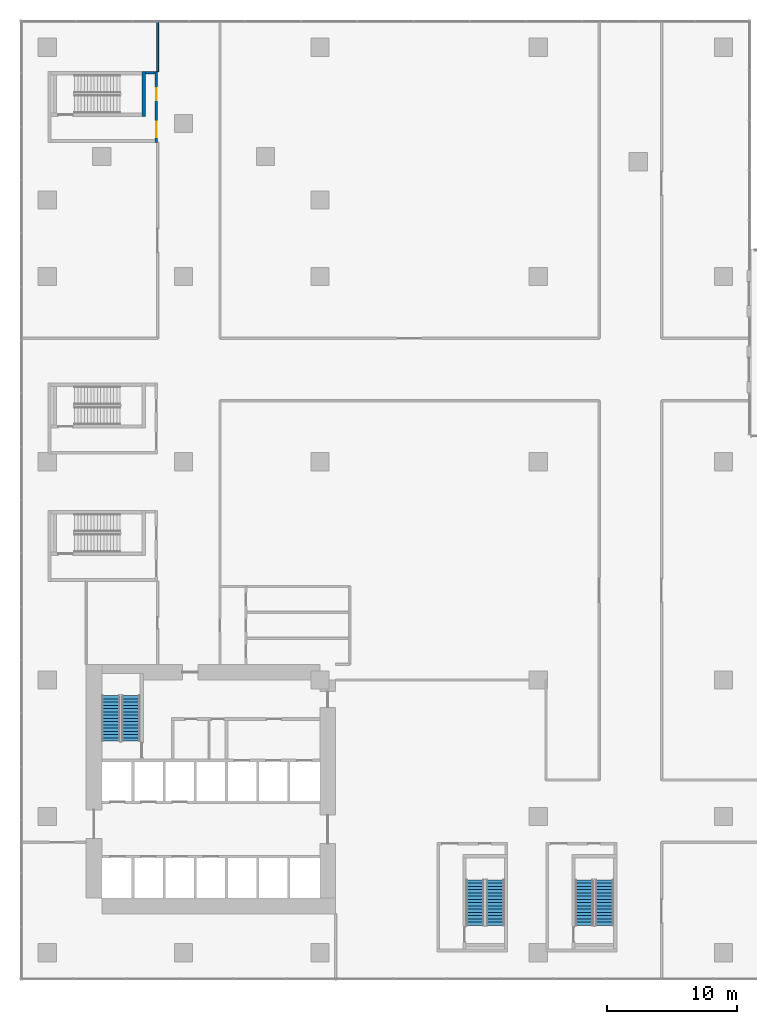
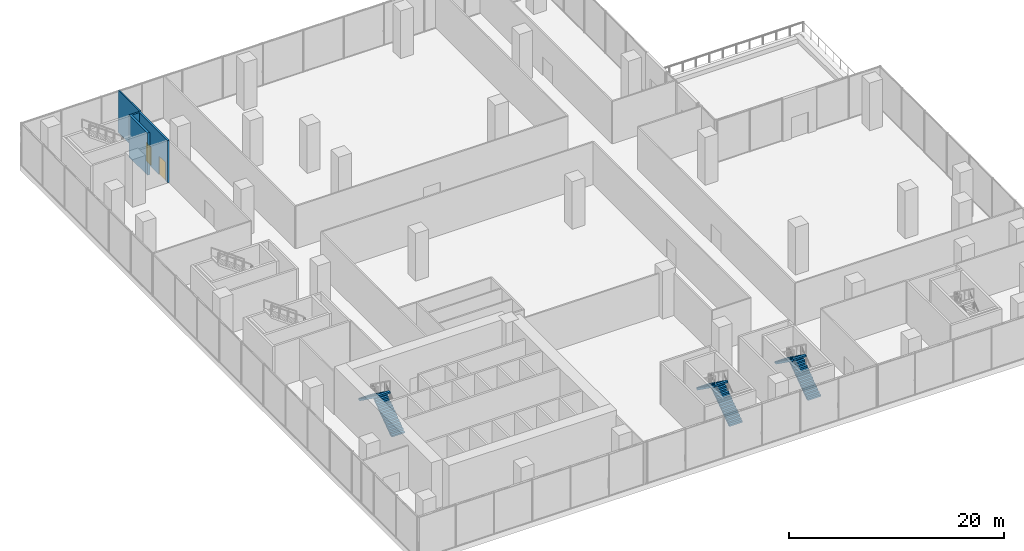
# One storey, part 17 of 23: 6 stair flights, 4 walls, 2 doors, 2 openings, 3 elements without a shape of their own.
"""IFC4 building model written with IfcOpenShell, lengths in metres."""

from ifc_helpers import new_model, si_unit, direction, frame, frame_2d, origin, place, context, subcontext, project, spatial, polyline, rectangle, outline, extrude, source, transform, mapped, material, layer, layer_set, type_object, element, fill, aggregate, save


model = new_model("IFC4")

# Units and contexts
model_context = context("Model", 3, precision=1e-05, world=origin(), true_north=direction((0.0, 1.0)))
body_context = subcontext(model_context, "Body", "Model", "MODEL_VIEW")
ifc_project = project(units=[si_unit("LENGTHUNIT", "METRE"), si_unit("AREAUNIT", "SQUARE_METRE"), si_unit("VOLUMEUNIT", "CUBIC_METRE"), si_unit("PLANEANGLEUNIT", "RADIAN"), si_unit("MASSUNIT", "GRAM", prefix="KILO")], contexts=[model_context])

# Site, building, storey
site_placement = place(None, origin())
site = spatial("IfcSite", under=ifc_project, at=site_placement, CompositionType="ELEMENT")
building_placement = place(site_placement, origin())
building = spatial("IfcBuilding", under=site, at=building_placement, Name="Aurelian Terraces", CompositionType="ELEMENT")
storey_placement = place(building_placement, frame((0.0, 0.0, 23.7)))
storey = spatial("IfcBuildingStorey", under=building, at=storey_placement, Name="L04", CompositionType="ELEMENT", Elevation=23.7)

# Wall
ifc_material_1 = material(Name="Concrete fc' 40 MPa", Category="concrete")
ifc_layer_1 = layer(ifc_material_1, 0.25)
ifc_layer_set_1 = layer_set([ifc_layer_1], Name="Stair enclosure wall 250")
wall_type_1 = type_object("IfcWallType", Name="Stair enclosure wall 250", PredefinedType="SOLIDWALL", material=ifc_layer_set_1)
shared_shape_1 = source(origin(), body_context, "Body", "SweptSolid", [
    extrude(rectangle(XDim=3.45, YDim=0.25, at=frame_2d((1.725, 0.0))), origin(), (0.0, 0.0, 1.0), 4.8),
])
wall_1_placement = place(storey_placement, frame((7.425, 64.4, 0.0), z_axis=(0.0, 0.0, 1.0), x_axis=(0.0, 1.0, 0.0)))
element("IfcWall", 1, at=wall_1_placement, inside=storey, type_object=wall_type_1, Name="L04 core wall ST-S5-N", PredefinedType="SOLIDWALL", context=body_context, shape_type="MappedRepresentation", body=[
    mapped(shared_shape_1, transform((0.0, 0.0, 0.0), scale=1.0)),
])

# Wall, openings, doors
ifc_material_2 = material(Name="Gypsum board on steel studs", Category="steel")
ifc_layer_2 = layer(ifc_material_2, 0.2)
ifc_layer_set_2 = layer_set([ifc_layer_2], Name="Core partition 200")
wall_type_2 = type_object("IfcWallType", Name="Core partition 200", PredefinedType="PARTITIONING", material=ifc_layer_set_2)
shared_shape_2 = source(origin(), body_context, "Body", "SweptSolid", [
    extrude(rectangle(XDim=5.45, YDim=0.2, at=frame_2d((2.725, 0.0))), origin(), (0.0, 0.0, 1.0), 4.8),
])
wall_2_placement = place(storey_placement, frame((8.4, 62.4, 0.0), z_axis=(0.0, 0.0, 1.0), x_axis=(0.0, 1.0, 0.0)))
wall_2 = element("IfcWall", 2, at=wall_2_placement, inside=storey, type_object=wall_type_2, Name="L04 core wall ST-S5-BN", PredefinedType="PARTITIONING", context=body_context, shape_type="MappedRepresentation", body=[
    mapped(shared_shape_2, transform((0.0, 0.0, 0.0), scale=1.0)),
])
shared_shape_3 = source(origin(), body_context, "Body", "SweptSolid", [
    extrude(rectangle(XDim=1.2, YDim=2.1, at=frame_2d((0.6, 1.05))), frame((0.0, 0.11, 0.0), z_axis=(0.0, -1.0, 0.0), x_axis=(1.0, 0.0, 0.0)), (0.0, 0.0, 1.0), 0.22),
])
opening_1_placement = place(wall_2_placement, frame((0.4, 0.0, 0.0)))
opening_1 = element("IfcOpeningElement", 3, at=opening_1_placement, cuts=wall_2, Name="Opening 60724", PredefinedType="OPENING", context=body_context, shape_type="MappedRepresentation", body=[
    mapped(shared_shape_3, transform((0.0, 0.0, 0.0), scale=1.0)),
])
shared_shape_4 = source(origin(), body_context, "Body", "SweptSolid", [
    extrude(rectangle(XDim=0.9, YDim=2.1, at=frame_2d((0.45, 1.05))), frame((0.0, 0.11, 0.0), z_axis=(0.0, -1.0, 0.0), x_axis=(1.0, 0.0, 0.0)), (0.0, 0.0, 1.0), 0.22),
])
opening_2_placement = place(wall_2_placement, frame((3.25, 0.0, 0.0)))
opening_2 = element("IfcOpeningElement", 4, at=opening_2_placement, cuts=wall_2, Name="Opening 60725", PredefinedType="OPENING", context=body_context, shape_type="MappedRepresentation", body=[
    mapped(shared_shape_4, transform((0.0, 0.0, 0.0), scale=1.0)),
])
ifc_material_3 = material(Name="Steel door leaf", Category="steel")
door_type_1 = type_object("IfcDoorType", Name="Core riser door 900x2100", OperationType="SINGLE_SWING_LEFT", PredefinedType="DOOR", material=ifc_material_3)
shared_shape_5 = source(origin(), body_context, "Body", "SweptSolid", [
    extrude(rectangle(XDim=0.9, YDim=2.1, at=frame_2d((0.45, 1.05))), frame((0.0, 0.025, 0.0), z_axis=(0.0, -1.0, 0.0), x_axis=(1.0, 0.0, 0.0)), (0.0, 0.0, 1.0), 0.05),
])
door_1_placement = place(opening_2_placement, origin())
door_1 = element("IfcDoor", 5, at=door_1_placement, inside=storey, type_object=door_type_1, Name="Riser door 60725", OperationType="SINGLE_SWING_LEFT", OverallHeight=2.1, OverallWidth=0.9, PredefinedType="DOOR", context=body_context, shape_type="MappedRepresentation", body=[
    mapped(shared_shape_5, transform((0.0, 0.0, 0.0), scale=1.0)),
])
fill(opening_2, door_1)
door_type_2 = type_object("IfcDoorType", Name="Core fire door 1200x2100 right", OperationType="SINGLE_SWING_RIGHT", PredefinedType="DOOR", material=ifc_material_3)
shared_shape_6 = source(origin(), body_context, "Body", "SweptSolid", [
    extrude(rectangle(XDim=1.2, YDim=2.1, at=frame_2d((0.6, 1.05))), frame((0.0, 0.025, 0.0), z_axis=(0.0, -1.0, 0.0), x_axis=(1.0, 0.0, 0.0)), (0.0, 0.0, 1.0), 0.05),
])
door_2_placement = place(opening_1_placement, origin())
door_2 = element("IfcDoor", 6, at=door_2_placement, inside=storey, type_object=door_type_2, Name="Vestibule door 60724", OperationType="SINGLE_SWING_RIGHT", OverallHeight=2.1, OverallWidth=1.2, PredefinedType="DOOR", context=body_context, shape_type="MappedRepresentation", body=[
    mapped(shared_shape_6, transform((0.0, 0.0, 0.0), scale=1.0)),
])
fill(opening_1, door_2)

# Walls
shared_shape_7 = source(origin(), body_context, "Body", "SweptSolid", [
    extrude(rectangle(XDim=0.75, YDim=0.2, at=frame_2d((0.375, 0.0))), origin(), (0.0, 0.0, 1.0), 4.8),
])
wall_3_placement = place(storey_placement, frame((7.55, 67.75, 0.0), z_axis=(0.0, 0.0, 1.0), x_axis=(1.0, 0.0, 0.0)))
element("IfcWall", 7, at=wall_3_placement, inside=storey, type_object=wall_type_2, Name="L04 core wall ST-S5-RE", PredefinedType="PARTITIONING", context=body_context, shape_type="MappedRepresentation", body=[
    mapped(shared_shape_7, transform((0.0, 0.0, 0.0), scale=1.0)),
])
ifc_layer_3 = layer(ifc_material_2, 0.15)
ifc_layer_set_3 = layer_set([ifc_layer_3], Name="Special partition 150")
wall_type_3 = type_object("IfcWallType", Name="Special partition 150", PredefinedType="PARTITIONING", material=ifc_layer_set_3)
shared_shape_8 = source(origin(), body_context, "Body", "SweptSolid", [
    extrude(rectangle(XDim=3.97, YDim=0.15, at=frame_2d((1.985, 0.0))), origin(), (0.0, 0.0, 1.0), 4.8),
])
wall_4_placement = place(storey_placement, frame((8.5, 67.85, 0.0), z_axis=(0.0, 0.0, 1.0), x_axis=(0.0, 1.0, 0.0)))
element("IfcWall", 8, at=wall_4_placement, inside=storey, type_object=wall_type_3, Name="L04 partition W19", PredefinedType="PARTITIONING", context=body_context, shape_type="MappedRepresentation", body=[
    mapped(shared_shape_8, transform((0.0, 0.0, 0.0), scale=1.0)),
])

# Stair, stair flights
stair_type = type_object("IfcStairType", Name="Stair 1400", PredefinedType="HALF_TURN_STAIR", material=ifc_material_1)
stair_1_placement = place(storey_placement, origin())
stair_1 = element("IfcStair", 9, at=stair_1_placement, inside=storey, type_object=stair_type, Name="L04 S1", PredefinedType="HALF_TURN_STAIR")
stair_flight_type = type_object("IfcStairFlightType", Name="Stair flight 1400", PredefinedType="STRAIGHT", material=ifc_material_1)
shared_shape_9 = source(origin(), body_context, "Body", "SweptSolid", [
    extrude(outline(polyline([(0.0, 0.0), (0.0, 0.18), (0.25, 0.18), (0.25, 0.36), (0.5, 0.36), (0.5, 0.54), (0.75, 0.54), (0.75, 0.72), (1.0, 0.72), (1.0, 0.9), (1.25, 0.9), (1.25, 1.08), (1.5, 1.08), (1.5, 1.26), (1.75, 1.26), (1.75, 1.44), (2.0, 1.44), (2.0, 1.62), (2.25, 1.62), (2.25, 1.8), (2.5, 1.8), (2.5, 1.98), (2.75, 1.98), (2.75, 2.16), (3.0, 2.16), (3.0, 2.34), (3.25, 2.34), (3.25, 2.52), (3.5, 2.52), (3.5, 2.7), (3.5, 2.3352), (0.2567, 0.0), (0.0, 0.0)])), frame((0.0, 0.7, 0.0), z_axis=(0.0, -1.0, 0.0), x_axis=(1.0, 0.0, 0.0)), (0.0, 0.0, 1.0), 1.4),
])
stair_flight_1_placement = place(storey_placement, frame((6.45, 16.3, 2e-08), z_axis=(0.0, 0.0, 1.0), x_axis=(0.0, 1.0, 0.0)))
stair_flight_1 = element("IfcStairFlight", 10, at=stair_flight_1_placement, type_object=stair_flight_type, Name="S1 flight 1", NumberOfRisers=15, NumberOfTreads=14, PredefinedType="STRAIGHT", RiserHeight=0.18, TreadLength=0.25, context=body_context, shape_type="MappedRepresentation", body=[
    mapped(shared_shape_9, transform((0.0, 0.0, 0.0), scale=1.0)),
])
stair_flight_2_placement = place(storey_placement, frame((4.9, 19.8, 2.700000019999999), z_axis=(0.0, 0.0, 1.0), x_axis=(0.0, -1.0, 0.0)))
stair_flight_2 = element("IfcStairFlight", 11, at=stair_flight_2_placement, type_object=stair_flight_type, Name="S1 flight 2", NumberOfRisers=15, NumberOfTreads=14, PredefinedType="STRAIGHT", RiserHeight=0.18, TreadLength=0.25, context=body_context, shape_type="MappedRepresentation", body=[
    mapped(shared_shape_9, transform((0.0, 0.0, 0.0), scale=1.0)),
])
aggregate(stair_1, [stair_flight_1, stair_flight_2])

stair_2_placement = place(storey_placement, origin())
stair_2 = element("IfcStair", 12, at=stair_2_placement, inside=storey, type_object=stair_type, Name="L04 S2", PredefinedType="HALF_TURN_STAIR")
stair_flight_3_placement = place(storey_placement, frame((42.9, 2.1, 2e-08), z_axis=(0.0, 0.0, 1.0), x_axis=(0.0, 1.0, 0.0)))
stair_flight_3 = element("IfcStairFlight", 13, at=stair_flight_3_placement, type_object=stair_flight_type, Name="S2 flight 1", NumberOfRisers=15, NumberOfTreads=14, PredefinedType="STRAIGHT", RiserHeight=0.18, TreadLength=0.25, context=body_context, shape_type="MappedRepresentation", body=[
    mapped(shared_shape_9, transform((0.0, 0.0, 0.0), scale=1.0)),
])
stair_flight_4_placement = place(storey_placement, frame((41.35, 5.6, 2.700000019999999), z_axis=(0.0, 0.0, 1.0), x_axis=(0.0, -1.0, 0.0)))
stair_flight_4 = element("IfcStairFlight", 14, at=stair_flight_4_placement, type_object=stair_flight_type, Name="S2 flight 2", NumberOfRisers=15, NumberOfTreads=14, PredefinedType="STRAIGHT", RiserHeight=0.18, TreadLength=0.25, context=body_context, shape_type="MappedRepresentation", body=[
    mapped(shared_shape_9, transform((0.0, 0.0, 0.0), scale=1.0)),
])
aggregate(stair_2, [stair_flight_3, stair_flight_4])

stair_3_placement = place(storey_placement, origin())
stair_3 = element("IfcStair", 15, at=stair_3_placement, inside=storey, type_object=stair_type, Name="L04 S7", PredefinedType="HALF_TURN_STAIR")
stair_flight_5_placement = place(storey_placement, frame((34.5, 2.1, 2e-08), z_axis=(0.0, 0.0, 1.0), x_axis=(0.0, 1.0, 0.0)))
stair_flight_5 = element("IfcStairFlight", 16, at=stair_flight_5_placement, type_object=stair_flight_type, Name="S7 flight 1", NumberOfRisers=15, NumberOfTreads=14, PredefinedType="STRAIGHT", RiserHeight=0.18, TreadLength=0.25, context=body_context, shape_type="MappedRepresentation", body=[
    mapped(shared_shape_9, transform((0.0, 0.0, 0.0), scale=1.0)),
])
stair_flight_6_placement = place(storey_placement, frame((32.95, 5.6, 2.700000019999999), z_axis=(0.0, 0.0, 1.0), x_axis=(0.0, -1.0, 0.0)))
stair_flight_6 = element("IfcStairFlight", 17, at=stair_flight_6_placement, type_object=stair_flight_type, Name="S7 flight 2", NumberOfRisers=15, NumberOfTreads=14, PredefinedType="STRAIGHT", RiserHeight=0.18, TreadLength=0.25, context=body_context, shape_type="MappedRepresentation", body=[
    mapped(shared_shape_9, transform((0.0, 0.0, 0.0), scale=1.0)),
])
aggregate(stair_3, [stair_flight_5, stair_flight_6])

save(model, "model.ifc")
